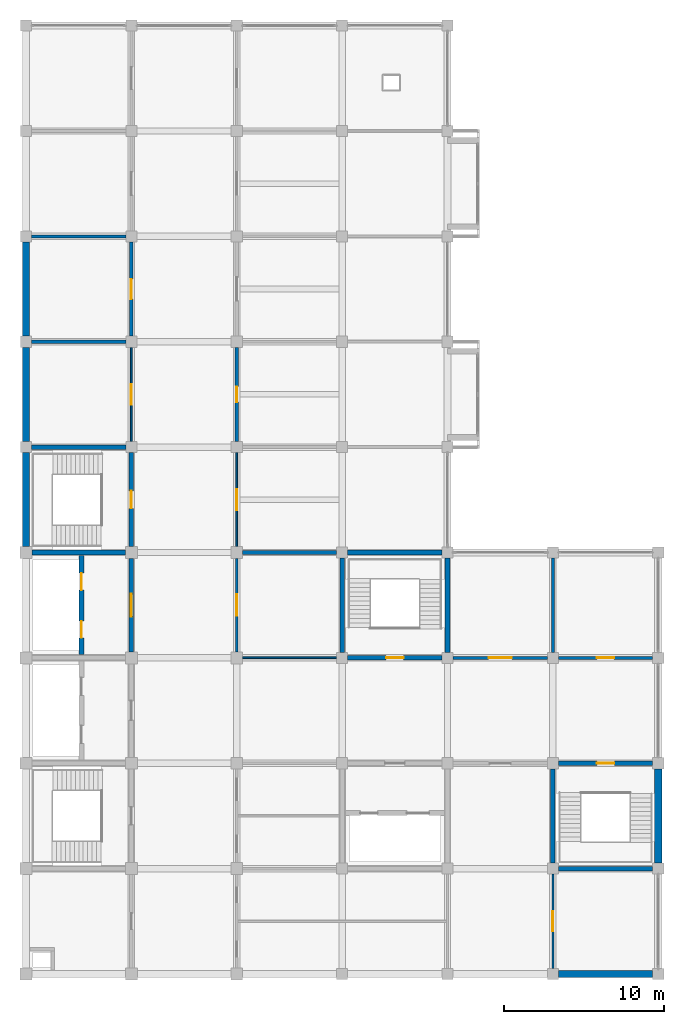
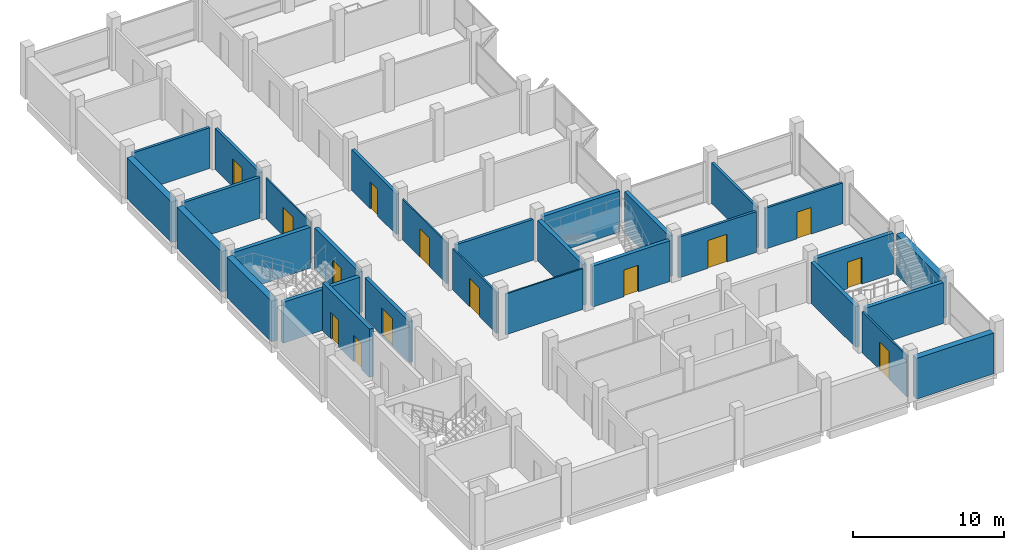
# One storey, part 8 of 10: 30 walls, 14 doors, 14 openings.
"""IFC4 building model written with IfcOpenShell, lengths in metres."""

import ifcopenshell
import ifcopenshell.guid

model = None  # the IFC model being written
_history = None  # IfcOwnerHistory: only IFC2X3 demands one
_inside = {}  # id of a spatial element -> (the spatial element, [elements in it])
_under = {}  # id of a project, library or spatial element -> (it, [spatial elements below it])
_declared = {}  # id of a project -> (the project, [libraries it declares])
_typed = {}  # id of a type object -> (the type object, [elements of that type])
_made_of = {}  # id of a material, layer set ... -> (it, [elements and type objects made of it])


def new_model(schema):
    """Start an empty IFC model of exactly this schema.

    Asked for "IFC4X3", IfcOpenShell would pick the latest addendum, in which some entities
    have other attributes; the version numbers below select the first issue.
    IFC2X3 requires an IfcOwnerHistory on every rooted entity: one is made here for all.
    """
    global model, _history
    if schema == "IFC4X3":
        model = ifcopenshell.file(schema_version=(4, 3, 0, 0))
    else:
        model = ifcopenshell.file(schema=schema)
    _inside.clear()
    _under.clear()
    _declared.clear()
    _typed.clear()
    _made_of.clear()
    _history = None
    if model.schema == "IFC2X3":
        org = make("IfcOrganization", Name="unknown")
        user = make(
            "IfcPersonAndOrganization",
            ThePerson=make("IfcPerson", FamilyName="unknown"),
            TheOrganization=org,
        )
        app = make(
            "IfcApplication",
            ApplicationDeveloper=org,
            Version="unknown",
            ApplicationFullName="unknown",
            ApplicationIdentifier="unknown",
        )
        _history = make(
            "IfcOwnerHistory",
            OwningUser=user,
            OwningApplication=app,
            ChangeAction="ADDED",
            CreationDate=0,
        )
    return model


def make(cls, **values):
    """One entity of the class cls with the attributes given. An attribute that is None is left unset."""
    return model.create_entity(
        cls, **{name: value for name, value in values.items() if value is not None}
    )


def rooted(cls, **values):
    """An entity with a GlobalId (a new one), such as an element, a storey or a relation."""
    return make(cls, GlobalId=ifcopenshell.guid.new(), OwnerHistory=_history, **values)


def si_unit(unit_type, name, prefix=None):
    """IfcSIUnit, for example si_unit("LENGTHUNIT", "METRE", prefix="MILLI")."""
    return make("IfcSIUnit", UnitType=unit_type, Prefix=prefix, Name=name)


def assignment(units):
    """IfcUnitAssignment: the units of a project."""
    return None if units is None else make("IfcUnitAssignment", Units=units)


def point(xyz):
    """IfcCartesianPoint."""
    return None if xyz is None else make("IfcCartesianPoint", Coordinates=xyz)


def direction(xyz):
    """IfcDirection."""
    return None if xyz is None else make("IfcDirection", DirectionRatios=xyz)


def frame(location, z_axis=None, x_axis=None):
    """IfcAxis2Placement3D, a coordinate frame: its origin and axes. An axis left out is left unset."""
    return make(
        "IfcAxis2Placement3D",
        Location=point(location),
        Axis=direction(z_axis),
        RefDirection=direction(x_axis),
    )


def frame_2d(location, x_axis=None):
    """IfcAxis2Placement2D, a coordinate frame in the plane: its origin and x axis."""
    return make(
        "IfcAxis2Placement2D", Location=point(location), RefDirection=direction(x_axis)
    )


def origin():
    """The frame at (0, 0, 0) with its axes left unset."""
    return frame((0.0, 0.0, 0.0))


def place(relative_to, where):
    """IfcLocalPlacement: puts the frame where relative to a parent placement (None: the world)."""
    return make(
        "IfcLocalPlacement", PlacementRelTo=relative_to, RelativePlacement=where
    )


def context(
    kind, dimensions, precision=None, world=None, true_north=None, identifier=None
):
    """IfcGeometricRepresentationContext, for example the 3D "Model" context."""
    return make(
        "IfcGeometricRepresentationContext",
        ContextIdentifier=identifier,
        ContextType=kind,
        CoordinateSpaceDimension=dimensions,
        Precision=precision,
        WorldCoordinateSystem=world,
        TrueNorth=true_north,
    )


def subcontext(parent, identifier, kind, view, scale=None):
    """IfcGeometricRepresentationSubContext, for example "Body" below "Model"."""
    return make(
        "IfcGeometricRepresentationSubContext",
        ContextIdentifier=identifier,
        ContextType=kind,
        ParentContext=parent,
        TargetScale=scale,
        TargetView=view,
    )


def project(units=None, contexts=None):
    """IfcProject with its units and contexts."""
    return rooted(
        "IfcProject",
        Name="project",
        RepresentationContexts=contexts,
        UnitsInContext=assignment(units),
    )


def spatial(cls, under=None, at=None, **own):
    """A site, building, storey or space (cls), placed at a placement, below another one or the project."""
    s = rooted(cls, ObjectPlacement=at, **own)
    if under is not None:
        _under.setdefault(under.id(), (under, []))[1].append(s)
    return s


def profile(cls, at=None, kind="AREA", **sizes):
    """A parametric profile (cls). Its sizes go by their IFC names, for example OverallWidth=200.0."""
    return make(cls, ProfileType=kind, Position=at, **sizes)


def rectangle(**sizes):
    """IfcRectangleProfileDef."""
    return profile("IfcRectangleProfileDef", **sizes)


def extrude(swept, where, along, depth):
    """IfcExtrudedAreaSolid: the profile swept, set in the frame where, extruded along a direction by depth."""
    return make(
        "IfcExtrudedAreaSolid",
        SweptArea=swept,
        Position=where,
        ExtrudedDirection=direction(along),
        Depth=depth,
    )


def shape(context_of_items, identifier, shape_type, items):
    """IfcShapeRepresentation: the items that make up one representation, for example the "Body"."""
    return make(
        "IfcShapeRepresentation",
        ContextOfItems=context_of_items,
        RepresentationIdentifier=identifier,
        RepresentationType=shape_type,
        Items=items,
    )


def material(Name=None, Category=None):
    """IfcMaterial."""
    return make("IfcMaterial", Name=Name, Category=Category)


def layer(
    of_material, thickness, ventilated=None, Name=None, Category=None, Priority=None
):
    """IfcMaterialLayer: one layer of a wall or slab, of a material (None: an air gap)."""
    return make(
        "IfcMaterialLayer",
        Material=of_material,
        LayerThickness=thickness,
        IsVentilated=ventilated,
        Name=Name,
        Category=Category,
        Priority=Priority,
    )


def layer_set(layers, Name=None):
    """IfcMaterialLayerSet."""
    return make("IfcMaterialLayerSet", MaterialLayers=layers, LayerSetName=Name)


def made_of(thing, what):
    """Note that an element or type object is made of a material, layer set ...; save() writes the relation."""
    if what is not None:
        _made_of.setdefault(what.id(), (what, []))[1].append(thing)
    return thing


def type_object(cls, material=None, **own):
    """A type object (cls), such as IfcWallType, which elements share."""
    return made_of(rooted(cls, **own), material)


def element(
    cls,
    number,
    at=None,
    inside=None,
    cuts=None,
    type_object=None,
    material=None,
    context=None,
    identifier="Body",
    shape_type=None,
    held_by="IfcProductDefinitionShape",
    body=None,
    shapes=None,
    **own,
):
    """One element of the class cls, such as IfcWall. Its Tag is "e" and its number.

    at: its placement. inside: the storey or other place that contains it. cuts: it is an
    opening in that element (IfcRelVoidsElement). A single representation is given by context,
    identifier, shape_type and body (its items); several are given by shapes. held_by: the class
    of the entity that holds the representations. save() writes the other relations.
    """
    e = rooted(cls, Tag="e%d" % number, ObjectPlacement=at, **own)
    if body is not None:
        shapes = [shape(context, identifier, shape_type, body)]
    if shapes is not None:
        e.Representation = make(held_by, Representations=shapes)
    if inside is not None:
        _inside.setdefault(inside.id(), (inside, []))[1].append(e)
    if cuts is not None:
        rooted(
            "IfcRelVoidsElement", RelatingBuildingElement=cuts, RelatedOpeningElement=e
        )
    if type_object is not None:
        _typed.setdefault(type_object.id(), (type_object, []))[1].append(e)
    return made_of(e, material)


def fill(opening, filler):
    """IfcRelFillsElement: the door or window that sits in an opening."""
    return rooted(
        "IfcRelFillsElement",
        RelatingOpeningElement=opening,
        RelatedBuildingElement=filler,
    )


def aggregate(whole, parts):
    """IfcRelAggregates: a whole, such as a stair, and the parts it consists of."""
    return rooted("IfcRelAggregates", RelatingObject=whole, RelatedObjects=parts)


def save(model, path):
    """Write the relations noted so far, then the file.

    IfcRelAggregates (storeys below a building ...), IfcRelContainedInSpatialStructure (elements
    in a storey), IfcRelDefinesByType, IfcRelAssociatesMaterial and IfcRelDeclares: one each for
    every whole, place, type object, material and project.
    """
    for whole, parts in _under.values():
        aggregate(whole, parts)
    for where, things in _inside.values():
        rooted(
            "IfcRelContainedInSpatialStructure",
            RelatedElements=things,
            RelatingStructure=where,
        )
    for kind, things in _typed.values():
        rooted("IfcRelDefinesByType", RelatedObjects=things, RelatingType=kind)
    for what, things in _made_of.values():
        rooted("IfcRelAssociatesMaterial", RelatedObjects=things, RelatingMaterial=what)
    for by, libraries in _declared.values():
        rooted("IfcRelDeclares", RelatingContext=by, RelatedDefinitions=libraries)
    model.write(path)


model = new_model("IFC4")

# Units and contexts
model_context = context("Model", 3, precision=1e-05, world=origin(), true_north=direction((0.0, 1.0)))
body_context = subcontext(model_context, "Body", "Model", "MODEL_VIEW")
ifc_project = project(units=[si_unit("LENGTHUNIT", "METRE"), si_unit("AREAUNIT", "SQUARE_METRE"), si_unit("VOLUMEUNIT", "CUBIC_METRE"), si_unit("PLANEANGLEUNIT", "RADIAN"), si_unit("MASSUNIT", "GRAM", prefix="KILO")], contexts=[model_context])

# Site, building, storey
site_placement = place(None, origin())
site = spatial("IfcSite", under=ifc_project, at=site_placement, CompositionType="ELEMENT")
building_placement = place(site_placement, origin())
building = spatial("IfcBuilding", under=site, at=building_placement, Name="Rusizi Kubbe Research Institute", CompositionType="ELEMENT")
storey_placement = place(building_placement, frame((0.0, 0.0, 48.0)))
storey = spatial("IfcBuildingStorey", under=building, at=storey_placement, Name="L11", CompositionType="ELEMENT", Elevation=48.0)

# Walls
ifc_material_1 = material(Name="Concrete C40/50", Category="concrete")
ifc_layer_1 = layer(ifc_material_1, 0.294921875)
ifc_layer_set_1 = layer_set([ifc_layer_1], Name="Concrete C40/50")
wall_type_1 = type_object("IfcWallType", Name="CRW-03", PredefinedType="SHEAR", material=ifc_layer_set_1)
wall_1_placement = place(storey_placement, frame((0.375, 26.39990234375, 0.0), z_axis=(0.0, 0.0, 1.0), x_axis=(1.0, 0.0, 0.0)))
element("IfcWall", 1, at=wall_1_placement, inside=storey, type_object=wall_type_1, Name="Stair Core Shear Wall ST2 L11 S", PredefinedType="SHEAR", context=body_context, shape_type="SweptSolid", body=[
    extrude(rectangle(XDim=5.85009765625, YDim=0.294921875, at=frame_2d((2.925048828125, 0.0))), origin(), (0.0, 0.0, 1.0), 3.2900390625),
])
wall_2_placement = place(storey_placement, frame((0.35009765625, 33.0, 0.0), z_axis=(0.0, 0.0, 1.0), x_axis=(1.0, 0.0, 0.0)))
element("IfcWall", 2, at=wall_2_placement, inside=storey, type_object=wall_type_1, Name="Stair Core Shear Wall ST2 L11 N", PredefinedType="SHEAR", context=body_context, shape_type="SweptSolid", body=[
    extrude(rectangle(XDim=5.89990234375, YDim=0.294921875, at=frame_2d((2.949951171875, 0.0))), origin(), (0.0, 0.0, 1.0), 3.2900390625),
])

# Wall, opening, door
wall_3_placement = place(storey_placement, frame((6.60009765625, 26.77490234375, 0.0), z_axis=(0.0, 0.0, 1.0), x_axis=(0.0, 1.0, 0.0)))
wall_3 = element("IfcWall", 3, at=wall_3_placement, inside=storey, type_object=wall_type_1, Name="Stair Core Shear Wall ST2 L11 E", PredefinedType="SHEAR", context=body_context, shape_type="SweptSolid", body=[
    extrude(rectangle(XDim=5.875, YDim=0.294921875, at=frame_2d((2.9375, 0.0))), origin(), (0.0, 0.0, 1.0), 3.2900390625),
])
opening_1_placement = place(wall_3_placement, frame((2.387451171875, 0.0, 0.0)))
opening_1 = element("IfcOpeningElement", 4, at=opening_1_placement, cuts=wall_3, Name="Opening D-01", PredefinedType="OPENING", context=body_context, shape_type="SweptSolid", body=[
    extrude(rectangle(XDim=1.10009765625, YDim=2.14990234375, at=frame_2d((0.550048828125, 1.074951171875))), frame((0.0, 0.157470703125, 0.0), z_axis=(0.0, -1.0, 0.0), x_axis=(1.0, 0.0, 0.0)), (0.0, 0.0, 1.0), 0.31494140625),
])
ifc_material_2 = material(Name="Fire-Rated Steel Frame and Acoustic Timber Leaf", Category="wood")
door_type_1 = type_object("IfcDoorType", Name="ID-STAIR-110", OperationType="NOTDEFINED", PredefinedType="DOOR", material=ifc_material_2)
door_1_placement = place(opening_1_placement, origin())
door_1 = element("IfcDoor", 5, at=door_1_placement, inside=storey, type_object=door_type_1, Name="Exit Stair Door ST2 L11", OperationType="SINGLE_SWING_LEFT", OverallHeight=2.14990234375, OverallWidth=1.10009765625, PredefinedType="DOOR", context=body_context, shape_type="SweptSolid", body=[
    extrude(rectangle(XDim=1.10009765625, YDim=2.14990234375, at=frame_2d((0.550048828125, 1.074951171875))), frame((0.0, 0.02490234375, 0.0), z_axis=(0.0, -1.0, 0.0), x_axis=(1.0, 0.0, 0.0)), (0.0, 0.0, 1.0), 0.050048828125),
])
fill(opening_1, door_1)

wall_4_placement = place(storey_placement, frame((20.14990234375, 19.800048828125, 0.0), z_axis=(0.0, 0.0, 1.0), x_axis=(1.0, 0.0, 0.0)))
wall_4 = element("IfcWall", 6, at=wall_4_placement, inside=storey, type_object=wall_type_1, Name="Stair Core Shear Wall ST3 L11 S", PredefinedType="SHEAR", context=body_context, shape_type="SweptSolid", body=[
    extrude(rectangle(XDim=5.900146484375, YDim=0.294921875, at=frame_2d((2.9501953125, 0.0))), origin(), (0.0, 0.0, 1.0), 3.2900390625),
])
opening_2_placement = place(wall_4_placement, frame((2.39990234375, 0.0, 0.0)))
opening_2 = element("IfcOpeningElement", 7, at=opening_2_placement, cuts=wall_4, Name="Opening D-01", PredefinedType="OPENING", context=body_context, shape_type="SweptSolid", body=[
    extrude(rectangle(XDim=1.10009765625, YDim=2.14990234375, at=frame_2d((0.550048828125, 1.074951171875))), frame((0.0, 0.157470703125, 0.0), z_axis=(0.0, -1.0, 0.0), x_axis=(1.0, 0.0, 0.0)), (0.0, 0.0, 1.0), 0.31494140625),
])
door_2_placement = place(opening_2_placement, origin())
door_2 = element("IfcDoor", 8, at=door_2_placement, inside=storey, type_object=door_type_1, Name="Exit Stair Door ST3 L11", OperationType="SINGLE_SWING_LEFT", OverallHeight=2.14990234375, OverallWidth=1.10009765625, PredefinedType="DOOR", context=body_context, shape_type="SweptSolid", body=[
    extrude(rectangle(XDim=1.10009765625, YDim=2.14990234375, at=frame_2d((0.550048828125, 1.074951171875))), frame((0.0, 0.02490234375, 0.0), z_axis=(0.0, -1.0, 0.0), x_axis=(1.0, 0.0, 0.0)), (0.0, 0.0, 1.0), 0.050048828125),
])
fill(opening_2, door_2)

# Walls
for number, where, z_axis, x_axis, name in (
    (9, (20.14990234375, 26.39990234375, 0.0), (0.0, 0.0, 1.0), (1.0, 0.0, 0.0), "Stair Core Shear Wall ST3 L11 N"),
    (10, (19.800048828125, 20.14990234375, 0.0), (0.0, 0.0, 1.0), (0.0, 1.0, 0.0), "Stair Core Shear Wall ST3 L11 W"),
    (11, (26.39990234375, 20.14990234375, 0.0), (0.0, 0.0, 1.0), (0.0, 1.0, 0.0), "Stair Core Shear Wall ST3 L11 E"),
):
    element("IfcWall", number, at=place(storey_placement, frame(where, z_axis=z_axis, x_axis=x_axis)), inside=storey, type_object=wall_type_1, Name=name, PredefinedType="SHEAR", context=body_context, shape_type="SweptSolid", body=[
        extrude(rectangle(XDim=5.900146484375, YDim=0.294921875, at=frame_2d((2.9501953125, 0.0))), origin(), (0.0, 0.0, 1.0), 3.2900390625),
    ])
wall_5_placement = place(storey_placement, frame((33.35009765625, 6.60009765625, 0.0), z_axis=(0.0, 0.0, 1.0), x_axis=(1.0, 0.0, 0.0)))
element("IfcWall", 12, at=wall_5_placement, inside=storey, type_object=wall_type_1, Name="Stair Core Shear Wall ST4 L11 S", PredefinedType="SHEAR", context=body_context, shape_type="SweptSolid", body=[
    extrude(rectangle(XDim=5.89990234375, YDim=0.294921875, at=frame_2d((2.949951171875, 0.0))), origin(), (0.0, 0.0, 1.0), 3.2900390625),
])

# Wall, opening, door
wall_6_placement = place(storey_placement, frame((33.35009765625, 13.199951171875, 0.0), z_axis=(0.0, 0.0, 1.0), x_axis=(1.0, 0.0, 0.0)))
wall_6 = element("IfcWall", 13, at=wall_6_placement, inside=storey, type_object=wall_type_1, Name="Stair Core Shear Wall ST4 L11 N", PredefinedType="SHEAR", context=body_context, shape_type="SweptSolid", body=[
    extrude(rectangle(XDim=5.89990234375, YDim=0.294921875, at=frame_2d((2.949951171875, 0.0))), origin(), (0.0, 0.0, 1.0), 3.2900390625),
])
opening_3_placement = place(wall_6_placement, frame((2.39990234375, 0.0, 0.0)))
opening_3 = element("IfcOpeningElement", 14, at=opening_3_placement, cuts=wall_6, Name="Opening D-01", PredefinedType="OPENING", context=body_context, shape_type="SweptSolid", body=[
    extrude(rectangle(XDim=1.10009765625, YDim=2.14990234375, at=frame_2d((0.550048828125, 1.074951171875))), frame((0.0, 0.157470703125, 0.0), z_axis=(0.0, -1.0, 0.0), x_axis=(1.0, 0.0, 0.0)), (0.0, 0.0, 1.0), 0.31494140625),
])
door_3_placement = place(opening_3_placement, origin())
door_3 = element("IfcDoor", 15, at=door_3_placement, inside=storey, type_object=door_type_1, Name="Exit Stair Door ST4 L11", OperationType="SINGLE_SWING_LEFT", OverallHeight=2.14990234375, OverallWidth=1.10009765625, PredefinedType="DOOR", context=body_context, shape_type="SweptSolid", body=[
    extrude(rectangle(XDim=1.10009765625, YDim=2.14990234375, at=frame_2d((0.550048828125, 1.074951171875))), frame((0.0, 0.02490234375, 0.0), z_axis=(0.0, -1.0, 0.0), x_axis=(1.0, 0.0, 0.0)), (0.0, 0.0, 1.0), 0.050048828125),
])
fill(opening_3, door_3)

# Wall
wall_7_placement = place(storey_placement, frame((33.0, 6.949951171875, 0.0), z_axis=(0.0, 0.0, 1.0), x_axis=(0.0, 1.0, 0.0)))
element("IfcWall", 16, at=wall_7_placement, inside=storey, type_object=wall_type_1, Name="Stair Core Shear Wall ST4 L11 W", PredefinedType="SHEAR", context=body_context, shape_type="SweptSolid", body=[
    extrude(rectangle(XDim=5.900146484375, YDim=0.294921875, at=frame_2d((2.9501953125, 0.0))), origin(), (0.0, 0.0, 1.0), 3.2900390625),
])

# Wall, openings, doors
wall_8_placement = place(storey_placement, frame((3.47998046875, 20.0, 0.0), z_axis=(0.0, 0.0, 1.0), x_axis=(0.0, 1.0, 0.0)))
wall_8 = element("IfcWall", 17, at=wall_8_placement, inside=storey, type_object=wall_type_1, Name="Passenger Lift Shaft Front Wall L11", PredefinedType="SHEAR", context=body_context, shape_type="SweptSolid", body=[
    extrude(rectangle(XDim=6.199951171875, YDim=0.294921875, at=frame_2d((3.10009765625, 0.0))), origin(), (0.0, 0.0, 1.0), 3.889892578125),
])
opening_4_placement = place(wall_8_placement, frame((1.050048828125, 0.0, 0.0)))
opening_4 = element("IfcOpeningElement", 18, at=opening_4_placement, cuts=wall_8, Name="Opening LD-03", PredefinedType="OPENING", context=body_context, shape_type="SweptSolid", body=[
    extrude(rectangle(XDim=1.050048828125, YDim=2.14990234375, at=frame_2d((0.52490234375, 1.074951171875))), frame((0.0, 0.157470703125, 0.0), z_axis=(0.0, -1.0, 0.0), x_axis=(1.0, 0.0, 0.0)), (0.0, 0.0, 1.0), 0.31494140625),
])
opening_5_placement = place(wall_8_placement, frame((4.050048828125, 0.0, 0.0)))
opening_5 = element("IfcOpeningElement", 19, at=opening_5_placement, cuts=wall_8, Name="Opening LD-04", PredefinedType="OPENING", context=body_context, shape_type="SweptSolid", body=[
    extrude(rectangle(XDim=1.06005859375, YDim=2.14990234375, at=frame_2d((0.530029296875, 1.074951171875))), frame((0.0, 0.157470703125, 0.0), z_axis=(0.0, -1.0, 0.0), x_axis=(1.0, 0.0, 0.0)), (0.0, 0.0, 1.0), 0.31494140625),
])
ifc_material_3 = material(Name="Brushed Stainless Steel Sliding Door", Category="steel")
door_type_2 = type_object("IfcDoorType", Name="LD-03", OperationType="DOUBLE_DOOR_SLIDING", PredefinedType="USERDEFINED", material=ifc_material_3)
door_4_placement = place(opening_4_placement, origin())
door_4 = element("IfcDoor", 20, at=door_4_placement, inside=storey, type_object=door_type_2, Name="Lift Landing Sliding Door LP1 L11", ObjectType="SLIDING DOOR", OperationType="DOUBLE_DOOR_SLIDING", OverallHeight=2.14990234375, OverallWidth=1.050048828125, PredefinedType="USERDEFINED", context=body_context, shape_type="SweptSolid", body=[
    extrude(rectangle(XDim=1.050048828125, YDim=2.14990234375, at=frame_2d((0.52490234375, 1.074951171875))), frame((0.0, 0.02490234375, 0.0), z_axis=(0.0, -1.0, 0.0), x_axis=(1.0, 0.0, 0.0)), (0.0, 0.0, 1.0), 0.050048828125),
])
fill(opening_4, door_4)
ifc_material_4 = material(Name="Brushed Stainless Steel Sliding Door", Category="steel")
door_type_3 = type_object("IfcDoorType", Name="LD-04", OperationType="DOUBLE_DOOR_SLIDING", PredefinedType="USERDEFINED", material=ifc_material_4)
door_5_placement = place(opening_5_placement, origin())
door_5 = element("IfcDoor", 21, at=door_5_placement, inside=storey, type_object=door_type_3, Name="Lift Landing Sliding Door LP2 L11", ObjectType="SLIDING DOOR", OperationType="DOUBLE_DOOR_SLIDING", OverallHeight=2.14990234375, OverallWidth=1.06005859375, PredefinedType="USERDEFINED", context=body_context, shape_type="SweptSolid", body=[
    extrude(rectangle(XDim=1.06005859375, YDim=2.14990234375, at=frame_2d((0.530029296875, 1.074951171875))), frame((0.0, 0.02490234375, 0.0), z_axis=(0.0, -1.0, 0.0), x_axis=(1.0, 0.0, 0.0)), (0.0, 0.0, 1.0), 0.050048828125),
])
fill(opening_5, door_5)

# Wall
ifc_material_5 = material(Name="Concrete Blockwork Fire Partition", Category="masonry")
ifc_layer_2 = layer(ifc_material_5, 0.22509765625)
ifc_layer_set_2 = layer_set([ifc_layer_2], Name="Concrete Blockwork Fire Partition")
wall_type_2 = type_object("IfcWallType", Name="IW-01", PredefinedType="PARTITIONING", material=ifc_layer_set_2)
wall_9_placement = place(storey_placement, frame((0.35009765625, 39.60009765625, 0.0), z_axis=(0.0, 0.0, 1.0), x_axis=(1.0, 0.0, 0.0)))
element("IfcWall", 22, at=wall_9_placement, inside=storey, type_object=wall_type_2, Name="Interior Partition Wall L11 H0-6", PredefinedType="PARTITIONING", context=body_context, shape_type="SweptSolid", body=[
    extrude(rectangle(XDim=5.89990234375, YDim=0.22509765625, at=frame_2d((2.949951171875, 0.0))), origin(), (0.0, 0.0, 1.0), 3.2900390625),
])

# Wall, opening, door
wall_10_placement = place(storey_placement, frame((6.60009765625, 39.949951171875, 0.0), z_axis=(0.0, 0.0, 1.0), x_axis=(0.0, 1.0, 0.0)))
wall_10 = element("IfcWall", 23, at=wall_10_placement, inside=storey, type_object=wall_type_2, Name="Interior Partition Wall L11 V1-6", PredefinedType="PARTITIONING", context=body_context, shape_type="SweptSolid", body=[
    extrude(rectangle(XDim=5.900146484375, YDim=0.22509765625, at=frame_2d((2.9501953125, 0.0))), origin(), (0.0, 0.0, 1.0), 3.2900390625),
])
opening_6_placement = place(wall_10_placement, frame((2.324951171875, 0.0, 0.0)))
opening_6 = element("IfcOpeningElement", 24, at=opening_6_placement, cuts=wall_10, Name="Opening D-15", PredefinedType="OPENING", context=body_context, shape_type="SweptSolid", body=[
    extrude(rectangle(XDim=1.25, YDim=2.25, at=frame_2d((0.625, 1.125))), frame((0.0, 0.12255859375, 0.0), z_axis=(0.0, -1.0, 0.0), x_axis=(1.0, 0.0, 0.0)), (0.0, 0.0, 1.0), 0.2451171875),
])
ifc_material_6 = material(Name="Fire-Rated Steel Frame and Acoustic Timber Leaf", Category="wood")
door_type_4 = type_object("IfcDoorType", Name="ID-LAB-125", OperationType="NOTDEFINED", PredefinedType="DOOR", material=ifc_material_6)
door_6_placement = place(opening_6_placement, origin())
door_6 = element("IfcDoor", 25, at=door_6_placement, inside=storey, type_object=door_type_4, Name="Door to Service Spine Autoclave Room (L11-WSP-06)", OperationType="SINGLE_SWING_LEFT", OverallHeight=2.25, OverallWidth=1.25, PredefinedType="DOOR", context=body_context, shape_type="SweptSolid", body=[
    extrude(rectangle(XDim=1.25, YDim=2.25, at=frame_2d((0.625, 1.125))), frame((0.0, 0.02490234375, 0.0), z_axis=(0.0, -1.0, 0.0), x_axis=(1.0, 0.0, 0.0)), (0.0, 0.0, 1.0), 0.050048828125),
])
fill(opening_6, door_6)

wall_11_placement = place(storey_placement, frame((13.199951171875, 33.35009765625, 0.0), z_axis=(0.0, 0.0, 1.0), x_axis=(0.0, 1.0, 0.0)))
wall_11 = element("IfcWall", 26, at=wall_11_placement, inside=storey, type_object=wall_type_2, Name="Interior Partition Wall L11 V2-5", PredefinedType="PARTITIONING", context=body_context, shape_type="SweptSolid", body=[
    extrude(rectangle(XDim=5.89990234375, YDim=0.22509765625, at=frame_2d((2.949951171875, 0.0))), origin(), (0.0, 0.0, 1.0), 3.2900390625),
])
opening_7_placement = place(wall_11_placement, frame((2.4599609375, 0.0, 0.0)))
opening_7 = element("IfcOpeningElement", 27, at=opening_7_placement, cuts=wall_11, Name="Opening D-20", PredefinedType="OPENING", context=body_context, shape_type="SweptSolid", body=[
    extrude(rectangle(XDim=0.97998046875, YDim=2.14990234375, at=frame_2d((0.489990234375, 1.074951171875))), frame((0.0, 0.12255859375, 0.0), z_axis=(0.0, -1.0, 0.0), x_axis=(1.0, 0.0, 0.0)), (0.0, 0.0, 1.0), 0.2451171875),
])
ifc_material_7 = material(Name="Fire-Rated Steel Frame and Acoustic Timber Leaf", Category="wood")
door_type_5 = type_object("IfcDoorType", Name="ID-OFF-980", OperationType="NOTDEFINED", PredefinedType="DOOR", material=ifc_material_7)
door_7_placement = place(opening_7_placement, origin())
door_7 = element("IfcDoor", 28, at=door_7_placement, inside=storey, type_object=door_type_5, Name="Door to Write-up Office (L11-NW-03)", OperationType="SINGLE_SWING_LEFT", OverallHeight=2.14990234375, OverallWidth=0.97998046875, PredefinedType="DOOR", context=body_context, shape_type="SweptSolid", body=[
    extrude(rectangle(XDim=0.97998046875, YDim=2.14990234375, at=frame_2d((0.489990234375, 1.074951171875))), frame((0.0, 0.02490234375, 0.0), z_axis=(0.0, -1.0, 0.0), x_axis=(1.0, 0.0, 0.0)), (0.0, 0.0, 1.0), 0.050048828125),
])
fill(opening_7, door_7)

# Walls
wall_12_placement = place(storey_placement, frame((13.574951171875, 26.39990234375, 0.0), z_axis=(0.0, 0.0, 1.0), x_axis=(1.0, 0.0, 0.0)))
element("IfcWall", 29, at=wall_12_placement, inside=storey, type_object=wall_type_2, Name="Interior Partition Wall L11 H2-4", PredefinedType="PARTITIONING", context=body_context, shape_type="SweptSolid", body=[
    extrude(rectangle(XDim=5.875, YDim=0.22509765625, at=frame_2d((2.9375, 0.0))), origin(), (0.0, 0.0, 1.0), 3.2900390625),
])
ifc_material_8 = material(Name="Insulated Cleanroom Partition", Category="masonry")
ifc_layer_3 = layer(ifc_material_8, 0.195068359375)
ifc_layer_set_3 = layer_set([ifc_layer_3], Name="Insulated Cleanroom Partition")
wall_type_3 = type_object("IfcWallType", Name="IW-02", PredefinedType="PARTITIONING", material=ifc_layer_set_3)
wall_13_placement = place(storey_placement, frame((0.35009765625, 46.199951171875, 0.0), z_axis=(0.0, 0.0, 1.0), x_axis=(1.0, 0.0, 0.0)))
element("IfcWall", 30, at=wall_13_placement, inside=storey, type_object=wall_type_3, Name="Interior Partition Wall L11 H0-7", PredefinedType="PARTITIONING", context=body_context, shape_type="SweptSolid", body=[
    extrude(rectangle(XDim=5.89990234375, YDim=0.195068359375, at=frame_2d((2.949951171875, 0.0))), origin(), (0.0, 0.0, 1.0), 3.2900390625),
])

# Wall, opening, door
wall_14_placement = place(storey_placement, frame((26.75, 19.800048828125, 0.0), z_axis=(0.0, 0.0, 1.0), x_axis=(1.0, 0.0, 0.0)))
wall_14 = element("IfcWall", 31, at=wall_14_placement, inside=storey, type_object=wall_type_3, Name="Interior Partition Wall L11 H4-3", PredefinedType="PARTITIONING", context=body_context, shape_type="SweptSolid", body=[
    extrude(rectangle(XDim=5.89990234375, YDim=0.195068359375, at=frame_2d((2.949951171875, 0.0))), origin(), (0.0, 0.0, 1.0), 3.2900390625),
])
opening_8_placement = place(wall_14_placement, frame((2.22509765625, 0.0, 0.0)))
opening_8 = element("IfcOpeningElement", 32, at=opening_8_placement, cuts=wall_14, Name="Opening D-11", PredefinedType="OPENING", context=body_context, shape_type="SweptSolid", body=[
    extrude(rectangle(XDim=1.449951171875, YDim=2.25, at=frame_2d((0.72509765625, 1.125))), frame((0.0, 0.107421875, 0.0), z_axis=(0.0, -1.0, 0.0), x_axis=(1.0, 0.0, 0.0)), (0.0, 0.0, 1.0), 0.215087890625),
])
ifc_material_9 = material(Name="Fire-Rated Steel Frame and Acoustic Timber Leaf", Category="wood")
door_type_6 = type_object("IfcDoorType", Name="ID-LAB-145", OperationType="NOTDEFINED", PredefinedType="DOOR", material=ifc_material_9)
door_8_placement = place(opening_8_placement, origin())
door_8 = element("IfcDoor", 33, at=door_8_placement, inside=storey, type_object=door_type_6, Name="Door to Molecular Diagnostics Laboratory (L11-EWN-01)", OperationType="SINGLE_SWING_LEFT", OverallHeight=2.25, OverallWidth=1.449951171875, PredefinedType="DOOR", context=body_context, shape_type="SweptSolid", body=[
    extrude(rectangle(XDim=1.449951171875, YDim=2.25, at=frame_2d((0.72509765625, 1.125))), frame((0.0, 0.02490234375, 0.0), z_axis=(0.0, -1.0, 0.0), x_axis=(1.0, 0.0, 0.0)), (0.0, 0.0, 1.0), 0.050048828125),
])
fill(opening_8, door_8)

# Wall
wall_15_placement = place(storey_placement, frame((33.0, 20.14990234375, 0.0), z_axis=(0.0, 0.0, 1.0), x_axis=(0.0, 1.0, 0.0)))
element("IfcWall", 34, at=wall_15_placement, inside=storey, type_object=wall_type_3, Name="Interior Partition Wall L11 V5-3", PredefinedType="PARTITIONING", context=body_context, shape_type="SweptSolid", body=[
    extrude(rectangle(XDim=5.900146484375, YDim=0.195068359375, at=frame_2d((2.9501953125, 0.0))), origin(), (0.0, 0.0, 1.0), 3.2900390625),
])

# Wall, opening, door
ifc_material_10 = material(Name="Acoustic Laboratory Partition", Category="masonry")
ifc_layer_4 = layer(ifc_material_10, 0.175048828125)
ifc_layer_set_4 = layer_set([ifc_layer_4], Name="Acoustic Laboratory Partition")
wall_type_4 = type_object("IfcWallType", Name="IW-03", PredefinedType="PARTITIONING", material=ifc_layer_set_4)
wall_16_placement = place(storey_placement, frame((33.35009765625, 19.800048828125, 0.0), z_axis=(0.0, 0.0, 1.0), x_axis=(1.0, 0.0, 0.0)))
wall_16 = element("IfcWall", 35, at=wall_16_placement, inside=storey, type_object=wall_type_4, Name="Interior Partition Wall L11 H5-3", PredefinedType="PARTITIONING", context=body_context, shape_type="SweptSolid", body=[
    extrude(rectangle(XDim=5.89990234375, YDim=0.175048828125, at=frame_2d((2.949951171875, 0.0))), origin(), (0.0, 0.0, 1.0), 3.2900390625),
])
opening_9_placement = place(wall_16_placement, frame((2.409912109375, 0.0, 0.0)))
opening_9 = element("IfcOpeningElement", 36, at=opening_9_placement, cuts=wall_16, Name="Opening D-17", PredefinedType="OPENING", context=body_context, shape_type="SweptSolid", body=[
    extrude(rectangle(XDim=1.080078125, YDim=2.14990234375, at=frame_2d((0.5400390625, 1.074951171875))), frame((0.0, 0.097412109375, 0.0), z_axis=(0.0, -1.0, 0.0), x_axis=(1.0, 0.0, 0.0)), (0.0, 0.0, 1.0), 0.195068359375),
])
ifc_material_11 = material(Name="Fire-Rated Steel Frame and Acoustic Timber Leaf", Category="wood")
door_type_7 = type_object("IfcDoorType", Name="ID-OFF-108", OperationType="NOTDEFINED", PredefinedType="DOOR", material=ifc_material_11)
door_9_placement = place(opening_9_placement, origin())
door_9 = element("IfcDoor", 37, at=door_9_placement, inside=storey, type_object=door_type_7, Name="Door to Write-up Office (L11-EWN-02)", OperationType="SINGLE_SWING_RIGHT", OverallHeight=2.14990234375, OverallWidth=1.080078125, PredefinedType="DOOR", context=body_context, shape_type="SweptSolid", body=[
    extrude(rectangle(XDim=1.080078125, YDim=2.14990234375, at=frame_2d((0.5400390625, 1.074951171875))), frame((0.0, 0.02490234375, 0.0), z_axis=(0.0, -1.0, 0.0), x_axis=(1.0, 0.0, 0.0)), (0.0, 0.0, 1.0), 0.050048828125),
])
fill(opening_9, door_9)

ifc_material_12 = material(Name="Write-up Glazed Acoustic Partition", Category="masonry")
ifc_layer_5 = layer(ifc_material_12, 0.139892578125)
ifc_layer_set_5 = layer_set([ifc_layer_5], Name="Write-up Glazed Acoustic Partition")
wall_type_5 = type_object("IfcWallType", Name="IW-05", PredefinedType="PARTITIONING", material=ifc_layer_set_5)
wall_17_placement = place(storey_placement, frame((13.199951171875, 20.175048828125, 0.0), z_axis=(0.0, 0.0, 1.0), x_axis=(0.0, 1.0, 0.0)))
wall_17 = element("IfcWall", 38, at=wall_17_placement, inside=storey, type_object=wall_type_5, Name="Interior Partition Wall L11 V2-3", PredefinedType="PARTITIONING", context=body_context, shape_type="SweptSolid", body=[
    extrude(rectangle(XDim=5.849853515625, YDim=0.139892578125, at=frame_2d((2.9248046875, 0.0))), origin(), (0.0, 0.0, 1.0), 3.2900390625),
])
opening_10_placement = place(wall_17_placement, frame((2.25, 0.0, 0.0)))
opening_10 = element("IfcOpeningElement", 39, at=opening_10_placement, cuts=wall_17, Name="Opening D-13", PredefinedType="OPENING", context=body_context, shape_type="SweptSolid", body=[
    extrude(rectangle(XDim=1.35009765625, YDim=2.300048828125, at=frame_2d((0.675048828125, 1.14990234375))), frame((0.0, 0.079833984375, 0.0), z_axis=(0.0, -1.0, 0.0), x_axis=(1.0, 0.0, 0.0)), (0.0, 0.0, 1.0), 0.159912109375),
])
ifc_material_13 = material(Name="Fire-Rated Steel Frame and Acoustic Timber Leaf", Category="wood")
door_type_8 = type_object("IfcDoorType", Name="ID-LAB-135", OperationType="NOTDEFINED", PredefinedType="DOOR", material=ifc_material_13)
door_10_placement = place(opening_10_placement, origin())
door_10 = element("IfcDoor", 40, at=door_10_placement, inside=storey, type_object=door_type_8, Name="Door to Bioscience Wet Laboratory (L11-NW-01)", OperationType="SINGLE_SWING_LEFT", OverallHeight=2.300048828125, OverallWidth=1.35009765625, PredefinedType="DOOR", context=body_context, shape_type="SweptSolid", body=[
    extrude(rectangle(XDim=1.35009765625, YDim=2.300048828125, at=frame_2d((0.675048828125, 1.14990234375))), frame((0.0, 0.02490234375, 0.0), z_axis=(0.0, -1.0, 0.0), x_axis=(1.0, 0.0, 0.0)), (0.0, 0.0, 1.0), 0.050048828125),
])
fill(opening_10, door_10)

wall_18_placement = place(storey_placement, frame((33.0, 0.35009765625, 0.0), z_axis=(0.0, 0.0, 1.0), x_axis=(0.0, 1.0, 0.0)))
wall_18 = element("IfcWall", 41, at=wall_18_placement, inside=storey, type_object=wall_type_5, Name="Interior Partition Wall L11 V5-0", PredefinedType="PARTITIONING", context=body_context, shape_type="SweptSolid", body=[
    extrude(rectangle(XDim=5.89990234375, YDim=0.139892578125, at=frame_2d((2.949951171875, 0.0))), origin(), (0.0, 0.0, 1.0), 3.2900390625),
])
opening_11_placement = place(wall_18_placement, frame((2.324951171875, 0.0, 0.0)))
opening_11 = element("IfcOpeningElement", 42, at=opening_11_placement, cuts=wall_18, Name="Opening D-15", PredefinedType="OPENING", context=body_context, shape_type="SweptSolid", body=[
    extrude(rectangle(XDim=1.25, YDim=2.25, at=frame_2d((0.625, 1.125))), frame((0.0, 0.079833984375, 0.0), z_axis=(0.0, -1.0, 0.0), x_axis=(1.0, 0.0, 0.0)), (0.0, 0.0, 1.0), 0.159912109375),
])
door_11_placement = place(opening_11_placement, origin())
door_11 = element("IfcDoor", 43, at=door_11_placement, inside=storey, type_object=door_type_4, Name="Door to Laboratory Instrument Support Room (L11-EWU-05)", OperationType="SINGLE_SWING_LEFT", OverallHeight=2.25, OverallWidth=1.25, PredefinedType="DOOR", context=body_context, shape_type="SweptSolid", body=[
    extrude(rectangle(XDim=1.25, YDim=2.25, at=frame_2d((0.625, 1.125))), frame((0.0, 0.02490234375, 0.0), z_axis=(0.0, -1.0, 0.0), x_axis=(1.0, 0.0, 0.0)), (0.0, 0.0, 1.0), 0.050048828125),
])
fill(opening_11, door_11)

ifc_material_14 = material(Name="Sub-Suite Fire Partition", Category="masonry")
ifc_layer_6 = layer(ifc_material_14, 0.110107421875)
ifc_layer_set_6 = layer_set([ifc_layer_6], Name="Sub-Suite Fire Partition")
wall_type_6 = type_object("IfcWallType", Name="IW-07", PredefinedType="PARTITIONING", material=ifc_layer_set_6)
wall_19_placement = place(storey_placement, frame((6.60009765625, 33.35009765625, 0.0), z_axis=(0.0, 0.0, 1.0), x_axis=(0.0, 1.0, 0.0)))
wall_19 = element("IfcWall", 44, at=wall_19_placement, inside=storey, type_object=wall_type_6, Name="Interior Partition Wall L11 V1-5", PredefinedType="PARTITIONING", context=body_context, shape_type="SweptSolid", body=[
    extrude(rectangle(XDim=5.89990234375, YDim=0.110107421875, at=frame_2d((2.949951171875, 0.0))), origin(), (0.0, 0.0, 1.0), 3.2900390625),
])
opening_12_placement = place(wall_19_placement, frame((2.300048828125, 0.0, 0.0)))
opening_12 = element("IfcOpeningElement", 45, at=opening_12_placement, cuts=wall_19, Name="Opening D-14", PredefinedType="OPENING", context=body_context, shape_type="SweptSolid", body=[
    extrude(rectangle(XDim=1.300048828125, YDim=2.300048828125, at=frame_2d((0.64990234375, 1.14990234375))), frame((0.0, 0.06494140625, 0.0), z_axis=(0.0, -1.0, 0.0), x_axis=(1.0, 0.0, 0.0)), (0.0, 0.0, 1.0), 0.130126953125),
])
ifc_material_15 = material(Name="Fire-Rated Steel Frame and Acoustic Timber Leaf", Category="wood")
door_type_9 = type_object("IfcDoorType", Name="ID-LAB-130", OperationType="NOTDEFINED", PredefinedType="DOOR", material=ifc_material_15)
door_12_placement = place(opening_12_placement, origin())
door_12 = element("IfcDoor", 46, at=door_12_placement, inside=storey, type_object=door_type_9, Name="Door to Clean Room Metrology Laboratory (L11-WSP-05)", OperationType="SINGLE_SWING_RIGHT", OverallHeight=2.300048828125, OverallWidth=1.300048828125, PredefinedType="DOOR", context=body_context, shape_type="SweptSolid", body=[
    extrude(rectangle(XDim=1.300048828125, YDim=2.300048828125, at=frame_2d((0.64990234375, 1.14990234375))), frame((0.0, 0.02490234375, 0.0), z_axis=(0.0, -1.0, 0.0), x_axis=(1.0, 0.0, 0.0)), (0.0, 0.0, 1.0), 0.050048828125),
])
fill(opening_12, door_12)

wall_20_placement = place(storey_placement, frame((13.199951171875, 26.77490234375, 0.0), z_axis=(0.0, 0.0, 1.0), x_axis=(0.0, 1.0, 0.0)))
wall_20 = element("IfcWall", 47, at=wall_20_placement, inside=storey, type_object=wall_type_6, Name="Interior Partition Wall L11 V2-4", PredefinedType="PARTITIONING", context=body_context, shape_type="SweptSolid", body=[
    extrude(rectangle(XDim=5.875, YDim=0.110107421875, at=frame_2d((2.9375, 0.0))), origin(), (0.0, 0.0, 1.0), 3.2900390625),
])
opening_13_placement = place(wall_20_placement, frame((2.27490234375, 0.0, 0.0)))
opening_13 = element("IfcOpeningElement", 48, at=opening_13_placement, cuts=wall_20, Name="Opening D-14", PredefinedType="OPENING", context=body_context, shape_type="SweptSolid", body=[
    extrude(rectangle(XDim=1.300048828125, YDim=2.300048828125, at=frame_2d((0.64990234375, 1.14990234375))), frame((0.0, 0.06494140625, 0.0), z_axis=(0.0, -1.0, 0.0), x_axis=(1.0, 0.0, 0.0)), (0.0, 0.0, 1.0), 0.130126953125),
])
door_13_placement = place(opening_13_placement, origin())
door_13 = element("IfcDoor", 49, at=door_13_placement, inside=storey, type_object=door_type_9, Name="Door to Computational Dry Laboratory (L11-NW-02)", OperationType="SINGLE_SWING_RIGHT", OverallHeight=2.300048828125, OverallWidth=1.300048828125, PredefinedType="DOOR", context=body_context, shape_type="SweptSolid", body=[
    extrude(rectangle(XDim=1.300048828125, YDim=2.300048828125, at=frame_2d((0.64990234375, 1.14990234375))), frame((0.0, 0.02490234375, 0.0), z_axis=(0.0, -1.0, 0.0), x_axis=(1.0, 0.0, 0.0)), (0.0, 0.0, 1.0), 0.050048828125),
])
fill(opening_13, door_13)

# Walls
wall_21_placement = place(storey_placement, frame((13.574951171875, 19.800048828125, 0.0), z_axis=(0.0, 0.0, 1.0), x_axis=(1.0, 0.0, 0.0)))
element("IfcWall", 50, at=wall_21_placement, inside=storey, type_object=wall_type_6, Name="Interior Partition Wall L11 H2-3", PredefinedType="PARTITIONING", context=body_context, shape_type="SweptSolid", body=[
    extrude(rectangle(XDim=5.875, YDim=0.110107421875, at=frame_2d((2.9375, 0.0))), origin(), (0.0, 0.0, 1.0), 3.2900390625),
])
ifc_material_16 = material(Name="Concrete C40/50", Category="concrete")
ifc_layer_7 = layer(ifc_material_16, 0.4599609375)
ifc_layer_set_7 = layer_set([ifc_layer_7], Name="Concrete C40/50")
wall_type_7 = type_object("IfcWallType", Name="PW-02", PredefinedType="SOLIDWALL", material=ifc_layer_set_7)
wall_22_placement = place(storey_placement, frame((0.0, 26.77490234375, 0.0), z_axis=(0.0, 0.0, 1.0), x_axis=(0.0, 1.0, 0.0)))
element("IfcWall", 51, at=wall_22_placement, inside=storey, type_object=wall_type_7, Name="Blind Party Wall L11 V0-4", PredefinedType="SOLIDWALL", context=body_context, shape_type="SweptSolid", body=[
    extrude(rectangle(XDim=5.875, YDim=0.4599609375, at=frame_2d((2.9375, 0.0))), origin(), (0.0, 0.0, 1.0), 3.2900390625),
])
wall_23_placement = place(storey_placement, frame((0.0, 33.35009765625, 0.0), z_axis=(0.0, 0.0, 1.0), x_axis=(0.0, 1.0, 0.0)))
element("IfcWall", 52, at=wall_23_placement, inside=storey, type_object=wall_type_7, Name="Blind Party Wall L11 V0-5", PredefinedType="SOLIDWALL", context=body_context, shape_type="SweptSolid", body=[
    extrude(rectangle(XDim=5.89990234375, YDim=0.4599609375, at=frame_2d((2.949951171875, 0.0))), origin(), (0.0, 0.0, 1.0), 3.2900390625),
])
wall_24_placement = place(storey_placement, frame((0.0, 39.949951171875, 0.0), z_axis=(0.0, 0.0, 1.0), x_axis=(0.0, 1.0, 0.0)))
element("IfcWall", 53, at=wall_24_placement, inside=storey, type_object=wall_type_7, Name="Blind Party Wall L11 V0-6", PredefinedType="SOLIDWALL", context=body_context, shape_type="SweptSolid", body=[
    extrude(rectangle(XDim=5.900146484375, YDim=0.4599609375, at=frame_2d((2.9501953125, 0.0))), origin(), (0.0, 0.0, 1.0), 3.2900390625),
])
wall_25_placement = place(storey_placement, frame((33.35009765625, 0.0, 0.0), z_axis=(0.0, 0.0, 1.0), x_axis=(1.0, 0.0, 0.0)))
element("IfcWall", 54, at=wall_25_placement, inside=storey, type_object=wall_type_7, Name="Blind Party Wall L11 H5-0", PredefinedType="SOLIDWALL", context=body_context, shape_type="SweptSolid", body=[
    extrude(rectangle(XDim=5.89990234375, YDim=0.4599609375, at=frame_2d((2.949951171875, 0.0))), origin(), (0.0, 0.0, 1.0), 3.2900390625),
])
wall_26_placement = place(storey_placement, frame((39.60009765625, 6.949951171875, 0.0), z_axis=(0.0, 0.0, 1.0), x_axis=(0.0, 1.0, 0.0)))
element("IfcWall", 55, at=wall_26_placement, inside=storey, type_object=wall_type_7, Name="Core Shear Exterior Wall L11 V6-1", PredefinedType="SOLIDWALL", context=body_context, shape_type="SweptSolid", body=[
    extrude(rectangle(XDim=5.900146484375, YDim=0.4599609375, at=frame_2d((2.9501953125, 0.0))), origin(), (0.0, 0.0, 1.0), 3.2900390625),
])

# Wall, opening, door
ifc_material_17 = material(Name="Concrete C40/50", Category="concrete")
ifc_layer_8 = layer(ifc_material_17, 0.27490234375)
ifc_layer_set_8 = layer_set([ifc_layer_8], Name="Concrete C40/50")
wall_type_8 = type_object("IfcWallType", Name="SHW-01", PredefinedType="SHEAR", material=ifc_layer_set_8)
wall_27_placement = place(storey_placement, frame((6.60009765625, 20.175048828125, 0.0), z_axis=(0.0, 0.0, 1.0), x_axis=(0.0, 1.0, 0.0)))
wall_27 = element("IfcWall", 56, at=wall_27_placement, inside=storey, type_object=wall_type_8, Name="Passenger Lift Lobby Wall L11", PredefinedType="SHEAR", context=body_context, shape_type="SweptSolid", body=[
    extrude(rectangle(XDim=5.849853515625, YDim=0.27490234375, at=frame_2d((2.9248046875, 0.0))), origin(), (0.0, 0.0, 1.0), 3.2900390625),
])
opening_14_placement = place(wall_27_placement, frame((2.215087890625, 0.0, 0.0)))
opening_14 = element("IfcOpeningElement", 57, at=opening_14_placement, cuts=wall_27, Name="Opening D-22", PredefinedType="OPENING", context=body_context, shape_type="SweptSolid", body=[
    extrude(rectangle(XDim=1.419921875, YDim=2.199951171875, at=frame_2d((0.7099609375, 1.10009765625))), frame((0.0, 0.1474609375, 0.0), z_axis=(0.0, -1.0, 0.0), x_axis=(1.0, 0.0, 0.0)), (0.0, 0.0, 1.0), 0.294921875),
])
ifc_material_18 = material(Name="Fire-Rated Steel Frame and Acoustic Timber Leaf", Category="wood")
door_type_10 = type_object("IfcDoorType", Name="ID-STR-142", OperationType="DOUBLE_DOOR_SINGLE_SWING", PredefinedType="DOOR", material=ifc_material_18)
door_14_placement = place(opening_14_placement, origin())
door_14 = element("IfcDoor", 58, at=door_14_placement, inside=storey, type_object=door_type_10, Name="Door to Passenger Lift Lobby (L11-LBY-01)", OperationType="DOUBLE_DOOR_SINGLE_SWING", OverallHeight=2.199951171875, OverallWidth=1.419921875, PredefinedType="DOOR", context=body_context, shape_type="SweptSolid", body=[
    extrude(rectangle(XDim=1.419921875, YDim=2.199951171875, at=frame_2d((0.7099609375, 1.10009765625))), frame((0.0, 0.02490234375, 0.0), z_axis=(0.0, -1.0, 0.0), x_axis=(1.0, 0.0, 0.0)), (0.0, 0.0, 1.0), 0.050048828125),
])
fill(opening_14, door_14)

save(model, "model.ifc")
